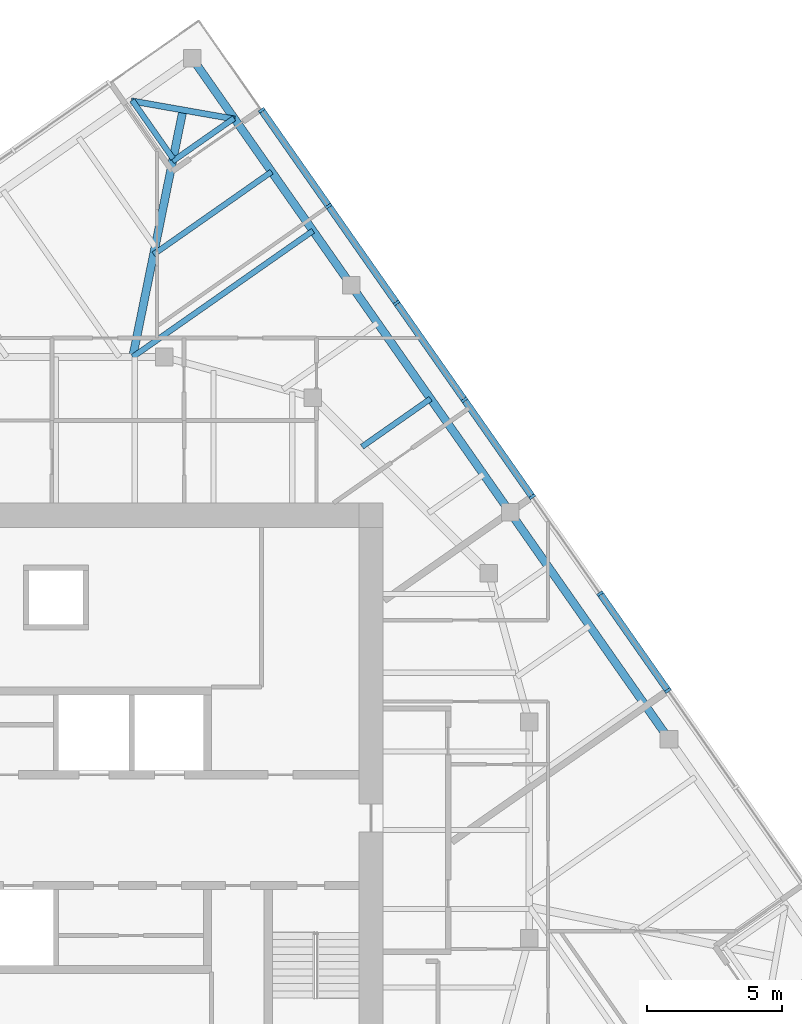
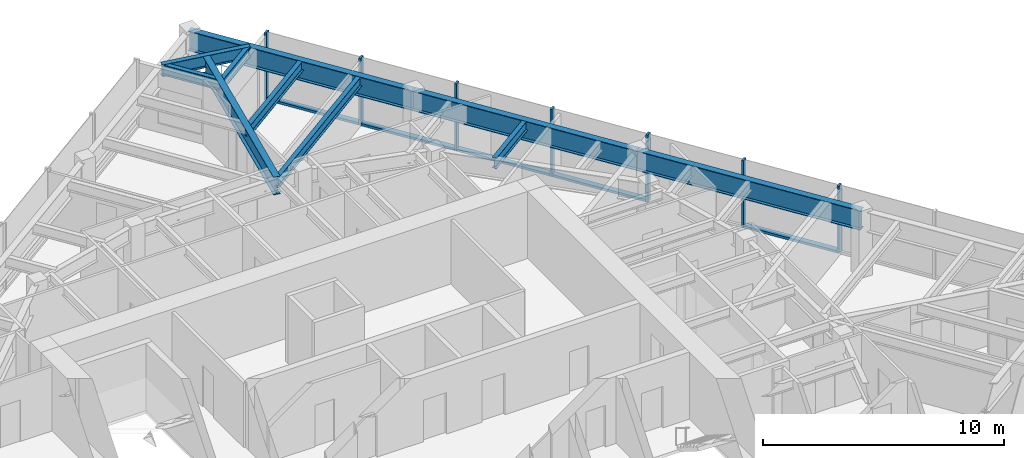
# One storey, part 5 of 13: 12 members, 10 beams, 1 element without a shape of its own.
"""IFC4 building model written with IfcOpenShell, lengths in metres."""

from ifc_helpers import new_model, si_unit, direction, frame, origin, origin_2d, place, context, subcontext, project, spatial, rectangle, i_section, extrude, material, material_profile, profile_set, type_object, element, aggregate, save


model = new_model("IFC4")

# Units and contexts
model_context = context("Model", 3, precision=1e-05, world=origin(), true_north=direction((0.0, 1.0)))
body_context = subcontext(model_context, "Body", "Model", "MODEL_VIEW")
ifc_project = project(units=[si_unit("LENGTHUNIT", "METRE"), si_unit("AREAUNIT", "SQUARE_METRE"), si_unit("VOLUMEUNIT", "CUBIC_METRE"), si_unit("PLANEANGLEUNIT", "RADIAN"), si_unit("MASSUNIT", "GRAM", prefix="KILO")], contexts=[model_context])

# Site, building, storey
site_placement = place(None, origin())
site = spatial("IfcSite", under=ifc_project, at=site_placement, CompositionType="ELEMENT")
building_placement = place(site_placement, origin())
building = spatial("IfcBuilding", under=site, at=building_placement, Name="Torsade Residences", CompositionType="ELEMENT")
storey_placement = place(building_placement, frame((0.0, 0.0, 260.800048828125)))
storey = spatial("IfcBuildingStorey", under=building, at=storey_placement, Name="L72", CompositionType="ELEMENT", Elevation=260.800048828125)

# Beams
ifc_material_1 = material(Name="Steel grade 300", Category="steel")
ifc_material_profile_1 = material_profile(ifc_material_1, i_section(OverallWidth=0.300048828125, OverallDepth=0.89990234375, WebThickness=0.011962890625, FlangeThickness=0.02490234375, at=origin_2d()), Name="900WB175")
ifc_profile_set_1 = profile_set([ifc_material_profile_1], Name="Steel grade 300")
beam_type_1 = type_object("IfcBeamType", Name="CORNER GIRDER 900WB175", PredefinedType="BEAM", material=ifc_profile_set_1)
beam_1_placement = place(storey_placement, frame((44.696533203125, 56.635986328125, 2.800048828125), z_axis=(-0.199584461589, -0.979880626756, 0.0), x_axis=(0.979880626756, -0.199584461589, 0.0)))
element("IfcBeam", 1, at=beam_1_placement, inside=storey, type_object=beam_type_1, Name="Corner girder 09 L73", PredefinedType="BEAM", context=body_context, shape_type="SweptSolid", body=[
    extrude(i_section(OverallWidth=0.300048828125, OverallDepth=0.89990234375, WebThickness=0.011962890625, FlangeThickness=0.02490234375, at=origin_2d()), origin(), (0.0, 0.0, 1.0), 9.323486328125),
])
ifc_material_2 = material(Name="Steel grade 300", Category="steel")
ifc_material_profile_2 = material_profile(ifc_material_2, i_section(OverallWidth=0.22802734375, OverallDepth=0.60205078125, WebThickness=0.010498046875, FlangeThickness=0.014892578125, FilletRadius=0.013916015625, at=origin_2d()), Name="610UB101")
ifc_profile_set_2 = profile_set([ifc_material_profile_2], Name="Steel grade 300")
beam_type_2 = type_object("IfcBeamType", Name="CORNER TRIMMER 610UB101", PredefinedType="BEAM", material=ifc_profile_set_2)
beam_2_placement = place(storey_placement, frame((42.78173828125, 56.9736328125, 2.948974609375), z_axis=(0.984808196894, -0.173645660267, 0.0), x_axis=(0.173645660267, 0.984808196894, 0.0)))
element("IfcBeam", 2, at=beam_2_placement, inside=storey, type_object=beam_type_2, Name="Corner trimmer 09 L73", PredefinedType="BEAM", context=body_context, shape_type="SweptSolid", body=[
    extrude(i_section(OverallWidth=0.22802734375, OverallDepth=0.60205078125, WebThickness=0.010498046875, FlangeThickness=0.014892578125, FilletRadius=0.013916015625, at=origin_2d()), origin(), (0.0, 0.0, 1.0), 3.888916015625),
])
ifc_material_3 = material(Name="Steel grade 300", Category="steel")
ifc_material_profile_3 = material_profile(ifc_material_3, i_section(OverallWidth=0.300048828125, OverallDepth=1.0, WebThickness=0.01611328125, FlangeThickness=0.028076171875, at=origin_2d()), Name="1000WB215")
ifc_profile_set_3 = profile_set([ifc_material_profile_3], Name="Steel grade 300")
beam_type_3 = type_object("IfcBeamType", Name="EDGE BEAM 1000WB215", PredefinedType="SPANDREL", material=ifc_profile_set_3)
for number, where, z_axis, x_axis, name in (
    (3, (62.671875, 33.362060546875, 2.75), (-0.573579034377, 0.819150225126, 0.0), (-0.819150225126, -0.573579034377, 0.0), "Edge beam 06 L73"),
    (4, (56.792724609375, 41.75830078125, 2.75), (-0.573579034377, 0.819150225126, 0.0), (-0.819150225126, -0.573579034377, 0.0), "Edge beam 07 L73"),
):
    element("IfcBeam", number, at=place(storey_placement, frame(where, z_axis=z_axis, x_axis=x_axis)), inside=storey, type_object=beam_type_3, Name=name, PredefinedType="SPANDREL", context=body_context, shape_type="SweptSolid", body=[
        extrude(i_section(OverallWidth=0.300048828125, OverallDepth=1.0, WebThickness=0.01611328125, FlangeThickness=0.028076171875, at=origin_2d()), origin(), (0.0, 0.0, 1.0), 10.25),
    ])
beam_3_placement = place(storey_placement, frame((50.91357421875, 50.154541015625, 2.75), z_axis=(-0.573583825578, 0.819146870247, 0.0), x_axis=(-0.819146870247, -0.573583825578, 0.0)))
element("IfcBeam", 5, at=beam_3_placement, inside=storey, type_object=beam_type_3, Name="Edge beam 08 L73", PredefinedType="SPANDREL", context=body_context, shape_type="SweptSolid", body=[
    extrude(i_section(OverallWidth=0.300048828125, OverallDepth=1.0, WebThickness=0.01611328125, FlangeThickness=0.028076171875, at=origin_2d()), origin(), (0.0, 0.0, 1.0), 10.250244140625),
])

# Curtain wall, members
ifc_material_4 = material(Name="Aluminium and glass", Category="aluminium")
curtain_wall_type = type_object("IfcCurtainWallType", Name="FRITTED GLASS CURTAIN WALL HIGH ZONE", PredefinedType="NOTDEFINED", material=ifc_material_4)
curtain_wall_placement = place(storey_placement, origin())
curtain_wall = element("IfcCurtainWall", 6, at=curtain_wall_placement, inside=storey, type_object=curtain_wall_type, Name="Curtain wall L72 face 4", PredefinedType="NOTDEFINED")
ifc_material_5 = material(Name="Aluminium mullion", Category="aluminium")
ifc_material_profile_4 = material_profile(ifc_material_5, rectangle(XDim=0.25, YDim=0.10009765625, at=origin_2d()), Name="HIGH ZONE CURTAIN WALL MULLION 250x100")
ifc_profile_set_4 = profile_set([ifc_material_profile_4], Name="Aluminium mullion")
member_type_1 = type_object("IfcMemberType", Name="HIGH ZONE CURTAIN WALL MULLION 250x100", PredefinedType="MULLION", material=ifc_profile_set_4)
member_1_placement = place(storey_placement, frame((62.630615234375, 35.164306640625, 0.0), z_axis=(0.0, 0.0, 1.0), x_axis=(-0.819152029353, -0.573576457682, 0.0)))
member_1 = element("IfcMember", 7, at=member_1_placement, type_object=member_type_1, Name="Mullion 3", PredefinedType="MULLION", context=body_context, shape_type="SweptSolid", body=[
    extrude(rectangle(XDim=0.25, YDim=0.10009765625, at=origin_2d()), origin(), (0.0, 0.0, 1.0), 3.39990234375),
])
member_2_placement = place(storey_placement, frame((60.12109375, 38.748046875, 0.0), z_axis=(0.0, 0.0, 1.0), x_axis=(-0.819152029353, -0.573576457682, 0.0)))
member_2 = element("IfcMember", 8, at=member_2_placement, type_object=member_type_1, Name="Mullion 4", PredefinedType="MULLION", context=body_context, shape_type="SweptSolid", body=[
    extrude(rectangle(XDim=0.25, YDim=0.10009765625, at=origin_2d()), origin(), (0.0, 0.0, 1.0), 3.39990234375),
])
member_3_placement = place(storey_placement, frame((57.61181640625, 42.331787109375, 0.0), z_axis=(0.0, 0.0, 1.0), x_axis=(-0.819152029353, -0.573576457682, 0.0)))
member_3 = element("IfcMember", 9, at=member_3_placement, type_object=member_type_1, Name="Mullion 5", PredefinedType="MULLION", context=body_context, shape_type="SweptSolid", body=[
    extrude(rectangle(XDim=0.25, YDim=0.10009765625, at=origin_2d()), origin(), (0.0, 0.0, 1.0), 3.39990234375),
])
member_4_placement = place(storey_placement, frame((55.102294921875, 45.915771484375, 0.0), z_axis=(0.0, 0.0, 1.0), x_axis=(-0.819152029353, -0.573576457682, 0.0)))
member_4 = element("IfcMember", 10, at=member_4_placement, type_object=member_type_1, Name="Mullion 6", PredefinedType="MULLION", context=body_context, shape_type="SweptSolid", body=[
    extrude(rectangle(XDim=0.25, YDim=0.10009765625, at=origin_2d()), origin(), (0.0, 0.0, 1.0), 3.39990234375),
])
member_5_placement = place(storey_placement, frame((52.593017578125, 49.49951171875, 0.0), z_axis=(0.0, 0.0, 1.0), x_axis=(-0.819152029353, -0.573576457682, 0.0)))
member_5 = element("IfcMember", 11, at=member_5_placement, type_object=member_type_1, Name="Mullion 7", PredefinedType="MULLION", context=body_context, shape_type="SweptSolid", body=[
    extrude(rectangle(XDim=0.25, YDim=0.10009765625, at=origin_2d()), origin(), (0.0, 0.0, 1.0), 3.39990234375),
])
member_6_placement = place(storey_placement, frame((50.08349609375, 53.083251953125, 0.0), z_axis=(0.0, 0.0, 1.0), x_axis=(-0.819152029353, -0.573576457682, 0.0)))
member_6 = element("IfcMember", 12, at=member_6_placement, type_object=member_type_1, Name="Mullion 8", PredefinedType="MULLION", context=body_context, shape_type="SweptSolid", body=[
    extrude(rectangle(XDim=0.25, YDim=0.10009765625, at=origin_2d()), origin(), (0.0, 0.0, 1.0), 3.39990234375),
])
member_7_placement = place(storey_placement, frame((47.602783203125, 56.6259765625, 0.0), z_axis=(0.0, 0.0, 1.0), x_axis=(-0.819152029353, -0.573576457682, 0.0)))
member_7 = element("IfcMember", 13, at=member_7_placement, type_object=member_type_1, Name="Mullion 9", PredefinedType="MULLION", context=body_context, shape_type="SweptSolid", body=[
    extrude(rectangle(XDim=0.25, YDim=0.10009765625, at=origin_2d()), origin(), (0.0, 0.0, 1.0), 3.39990234375),
])
ifc_material_6 = material(Name="Aluminium transom", Category="aluminium")
ifc_material_profile_5 = material_profile(ifc_material_6, rectangle(XDim=0.25, YDim=0.1201171875, at=origin_2d()), Name="HIGH ZONE CURTAIN WALL TRANSOM 250x120")
ifc_profile_set_5 = profile_set([ifc_material_profile_5], Name="Aluminium transom")
member_type_2 = type_object("IfcMemberType", Name="HIGH ZONE CURTAIN WALL TRANSOM 250x120", PredefinedType="USERDEFINED", material=ifc_profile_set_5)
member_8_placement = place(storey_placement, frame((62.601806640625, 35.205322265625, 0.06005859375), z_axis=(-0.573573496219, 0.819154102984, 0.0), x_axis=(-0.819154102984, -0.573573496219, 0.0)))
member_8 = element("IfcMember", 14, at=member_8_placement, type_object=member_type_2, Name="Transom 3.1", ObjectType="TRANSOM", PredefinedType="USERDEFINED", context=body_context, shape_type="SweptSolid", body=[
    extrude(rectangle(XDim=0.25, YDim=0.1201171875, at=origin_2d()), origin(), (0.0, 0.0, 1.0), 4.27490234375),
])
member_9_placement = place(storey_placement, frame((57.5830078125, 42.372802734375, 0.06005859375), z_axis=(-0.573546663483, 0.81917289067, 0.0), x_axis=(-0.81917289067, -0.573546663483, 0.0)))
member_9 = element("IfcMember", 15, at=member_9_placement, type_object=member_type_2, Name="Transom 5.1", ObjectType="TRANSOM", PredefinedType="USERDEFINED", context=body_context, shape_type="SweptSolid", body=[
    extrude(rectangle(XDim=0.25, YDim=0.1201171875, at=origin_2d()), origin(), (0.0, 0.0, 1.0), 4.27490234375),
])
member_10_placement = place(storey_placement, frame((55.07373046875, 45.95654296875, 0.06005859375), z_axis=(-0.57358498433, 0.819146058863, 0.0), x_axis=(-0.819146058863, -0.57358498433, 0.0)))
member_10 = element("IfcMember", 16, at=member_10_placement, type_object=member_type_2, Name="Transom 6.1", ObjectType="TRANSOM", PredefinedType="USERDEFINED", context=body_context, shape_type="SweptSolid", body=[
    extrude(rectangle(XDim=0.25, YDim=0.1201171875, at=origin_2d()), origin(), (0.0, 0.0, 1.0), 4.275146484375),
])
member_11_placement = place(storey_placement, frame((52.564208984375, 49.54052734375, 0.06005859375), z_axis=(-0.573573496219, 0.819154102984, 0.0), x_axis=(-0.819154102984, -0.573573496219, 0.0)))
member_11 = element("IfcMember", 17, at=member_11_placement, type_object=member_type_2, Name="Transom 7.1", ObjectType="TRANSOM", PredefinedType="USERDEFINED", context=body_context, shape_type="SweptSolid", body=[
    extrude(rectangle(XDim=0.25, YDim=0.1201171875, at=origin_2d()), origin(), (0.0, 0.0, 1.0), 4.27490234375),
])
member_12_placement = place(storey_placement, frame((50.054931640625, 53.124267578125, 0.06005859375), z_axis=(-0.573570928023, 0.819155901234, 0.0), x_axis=(-0.819155901234, -0.573570928023, 0.0)))
member_12 = element("IfcMember", 18, at=member_12_placement, type_object=member_type_2, Name="Transom 8.1", ObjectType="TRANSOM", PredefinedType="USERDEFINED", context=body_context, shape_type="SweptSolid", body=[
    extrude(rectangle(XDim=0.25, YDim=0.1201171875, at=origin_2d()), origin(), (0.0, 0.0, 1.0), 4.22509765625),
])
aggregate(curtain_wall, [member_1, member_2, member_3, member_4, member_5, member_6, member_7, member_8, member_9, member_10, member_11, member_12])

# Beams
ifc_material_7 = material(Name="Steel grade 300", Category="steel")
ifc_material_profile_6 = material_profile(ifc_material_7, i_section(OverallWidth=0.208984375, OverallDepth=0.532958984375, WebThickness=0.01025390625, FlangeThickness=0.015625, FilletRadius=0.013916015625, at=origin_2d()), Name="530UB92.4")
ifc_profile_set_6 = profile_set([ifc_material_profile_6], Name="Steel grade 300")
beam_type_4 = type_object("IfcBeamType", Name="SECONDARY BEAM 530UB92.4", PredefinedType="JOIST", material=ifc_profile_set_6)
beam_4_placement = place(storey_placement, frame((53.85302734375, 45.95654296875, 2.9833984375), z_axis=(-0.819135534955, -0.573600013401, 0.0), x_axis=(0.573600013401, -0.819135534955, 0.0)))
element("IfcBeam", 19, at=beam_4_placement, inside=storey, type_object=beam_type_4, Name="Floor beam FE08 L73", PredefinedType="JOIST", context=body_context, shape_type="SweptSolid", body=[
    extrude(i_section(OverallWidth=0.208984375, OverallDepth=0.532958984375, WebThickness=0.01025390625, FlangeThickness=0.015625, FilletRadius=0.013916015625, at=origin_2d()), origin(), (0.0, 0.0, 1.0), 3.09423828125),
])
beam_5_placement = place(storey_placement, frame((49.50341796875, 52.16845703125, 2.9833984375), z_axis=(-0.819151588523, -0.573577087251, 0.0), x_axis=(0.573577087251, -0.819151588523, 0.0)))
element("IfcBeam", 20, at=beam_5_placement, inside=storey, type_object=beam_type_4, Name="Floor beam FE10 L73", PredefinedType="JOIST", context=body_context, shape_type="SweptSolid", body=[
    extrude(i_section(OverallWidth=0.208984375, OverallDepth=0.532958984375, WebThickness=0.01025390625, FlangeThickness=0.015625, FilletRadius=0.013916015625, at=origin_2d()), origin(), (0.0, 0.0, 1.0), 8.13916015625),
])
beam_6_placement = place(storey_placement, frame((47.973876953125, 54.352783203125, 2.9833984375), z_axis=(-0.819137197966, -0.573597638513, 0.0), x_axis=(0.573597638513, -0.819137197966, 0.0)))
element("IfcBeam", 21, at=beam_6_placement, inside=storey, type_object=beam_type_4, Name="Floor beam FE11 L73", PredefinedType="JOIST", context=body_context, shape_type="SweptSolid", body=[
    extrude(i_section(OverallWidth=0.208984375, OverallDepth=0.532958984375, WebThickness=0.01025390625, FlangeThickness=0.015625, FilletRadius=0.013916015625, at=origin_2d()), origin(), (0.0, 0.0, 1.0), 5.328369140625),
])
beam_7_placement = place(storey_placement, frame((46.587646484375, 56.332275390625, 2.9833984375), z_axis=(-0.819190669238, -0.573521270253, 0.0), x_axis=(0.573521270253, -0.819190669238, 0.0)))
element("IfcBeam", 22, at=beam_7_placement, inside=storey, type_object=beam_type_4, Name="Floor beam FE12 L73", PredefinedType="JOIST", context=body_context, shape_type="SweptSolid", body=[
    extrude(i_section(OverallWidth=0.208984375, OverallDepth=0.532958984375, WebThickness=0.01025390625, FlangeThickness=0.015625, FilletRadius=0.013916015625, at=origin_2d()), origin(), (0.0, 0.0, 1.0), 2.780517578125),
])
beam_8_placement = place(storey_placement, frame((42.815673828125, 56.99755859375, 2.9833984375), z_axis=(0.573592685254, -0.819140666445, 0.0), x_axis=(0.819140666445, 0.573592685254, 0.0)))
element("IfcBeam", 23, at=beam_8_placement, inside=storey, type_object=beam_type_4, Name="Floor beam FN01 L73", PredefinedType="JOIST", context=body_context, shape_type="SweptSolid", body=[
    extrude(i_section(OverallWidth=0.208984375, OverallDepth=0.532958984375, WebThickness=0.01025390625, FlangeThickness=0.015625, FilletRadius=0.013916015625, at=origin_2d()), origin(), (0.0, 0.0, 1.0), 2.639892578125),
])

save(model, "model.ifc")
